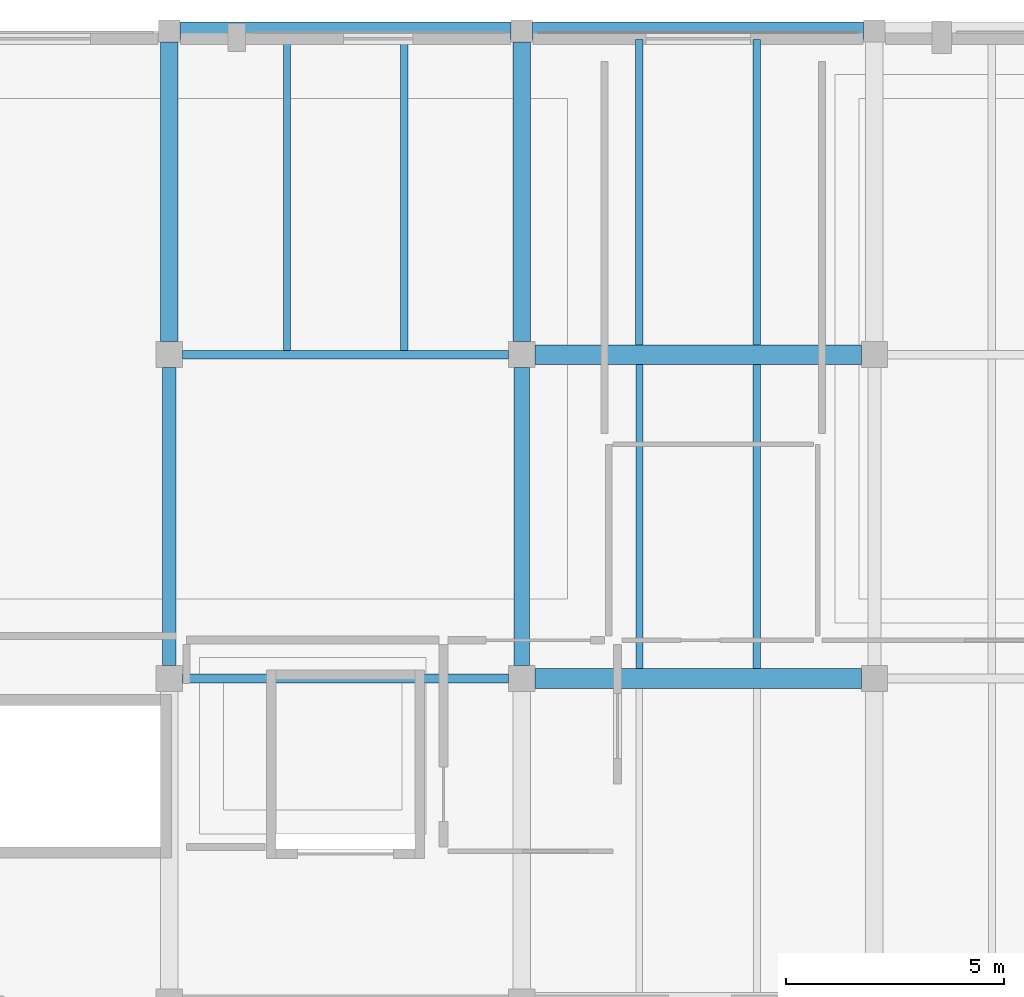
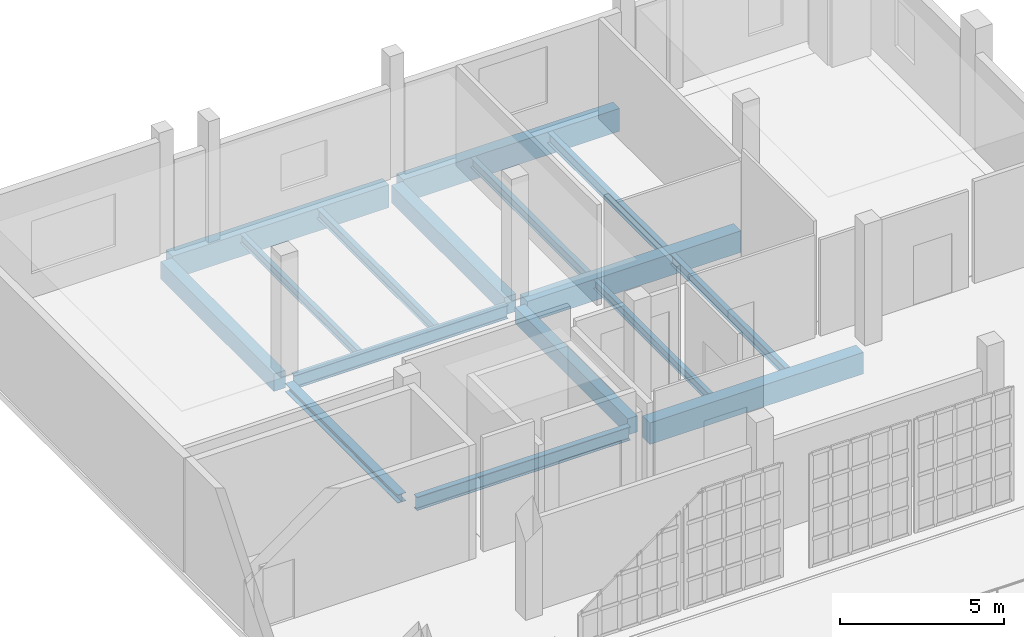
# One storey, part 23 of 56: 16 beams.
"""IFC4 building model written with IfcOpenShell, lengths in metres."""

from ifc_helpers import new_model, si_unit, direction, frame, origin, origin_2d, place, context, subcontext, project, spatial, rectangle, i_section, extrude, material, material_profile, profile_set, type_object, element, save


model = new_model("IFC4")

# Units and contexts
model_context = context("Model", 3, precision=1e-05, world=origin(), true_north=direction((0.0, 1.0)))
body_context = subcontext(model_context, "Body", "Model", "MODEL_VIEW")
ifc_project = project(units=[si_unit("LENGTHUNIT", "METRE"), si_unit("AREAUNIT", "SQUARE_METRE"), si_unit("VOLUMEUNIT", "CUBIC_METRE"), si_unit("PLANEANGLEUNIT", "RADIAN"), si_unit("MASSUNIT", "GRAM", prefix="KILO")], contexts=[model_context])

# Site, building, storey
site_placement = place(None, origin())
site = spatial("IfcSite", under=ifc_project, at=site_placement, CompositionType="ELEMENT")
building_placement = place(site_placement, origin())
building = spatial("IfcBuilding", under=site, at=building_placement, Name="Kaelora Sail Theatre", CompositionType="ELEMENT")
storey_placement = place(building_placement, frame((0.0, 0.0, 14.699951171875)))
storey = spatial("IfcBuildingStorey", under=building, at=storey_placement, Name="L03", CompositionType="ELEMENT", Elevation=14.699951171875)

# Beams
ifc_material_1 = material(Name="Steel S355", Category="steel")
ifc_material_profile_1 = material_profile(ifc_material_1, i_section(OverallWidth=0.300048828125, OverallDepth=0.31005859375, WebThickness=0.009033203125, FlangeThickness=0.015380859375, FilletRadius=0.027099609375, at=origin_2d()), Name="HEA 320")
ifc_profile_set_1 = profile_set([ifc_material_profile_1], Name="Steel S355")
beam_type_1 = type_object("IfcBeamType", Name="STR-BM-BM-HEA320", PredefinedType="BEAM", material=ifc_profile_set_1)
beam_1_placement = place(storey_placement, frame((106.800048828125, 98.52001953125, -0.429931640625), z_axis=(0.0, 1.0, 0.0), x_axis=(-1.0, 0.0, 0.0)))
element("IfcBeam", 1, at=beam_1_placement, inside=storey, type_object=beam_type_1, Name="Primary beam 14 N-O (L03)", PredefinedType="BEAM", context=body_context, shape_type="SweptSolid", body=[
    extrude(i_section(OverallWidth=0.300048828125, OverallDepth=0.31005859375, WebThickness=0.009033203125, FlangeThickness=0.015380859375, FilletRadius=0.027099609375, at=origin_2d()), origin(), (0.0, 0.0, 1.0), 6.840087890625),
])
ifc_material_2 = material(Name="Steel S355", Category="steel")
ifc_material_profile_2 = material_profile(ifc_material_2, i_section(OverallWidth=0.199951171875, OverallDepth=0.5, WebThickness=0.01025390625, FlangeThickness=0.01611328125, FilletRadius=0.02099609375, at=origin_2d()), Name="IPE 500")
ifc_profile_set_2 = profile_set([ifc_material_profile_2], Name="Steel S355")
beam_type_2 = type_object("IfcBeamType", Name="STR-BM-BM-IPE500", PredefinedType="BEAM", material=ifc_profile_set_2)
for number, where, z_axis, x_axis, name in (
    (2, (107.10009765625, 98.219970703125, -0.52490234375), (1.0, 0.0, 0.0), (0.0, 1.0, 0.0), "Primary beam N 14-15 (L03)"),
    (3, (107.10009765625, 105.659912109375, -0.52490234375), (1.0, 0.0, 0.0), (0.0, 1.0, 0.0), "Primary beam O 14-15 (L03)"),
):
    element("IfcBeam", number, at=place(storey_placement, frame(where, z_axis=z_axis, x_axis=x_axis)), inside=storey, type_object=beam_type_2, Name=name, PredefinedType="BEAM", context=body_context, shape_type="SweptSolid", body=[
        extrude(i_section(OverallWidth=0.199951171875, OverallDepth=0.5, WebThickness=0.01025390625, FlangeThickness=0.01611328125, FilletRadius=0.02099609375, at=origin_2d()), origin(), (0.0, 0.0, 1.0), 7.5),
    ])
ifc_material_3 = material(Name="Concrete C40/50", Category="concrete")
ifc_material_profile_3 = material_profile(ifc_material_3, rectangle(XDim=0.35009765625, YDim=0.60009765625, at=origin_2d()), Name="RC-BM 350x600")
ifc_profile_set_3 = profile_set([ifc_material_profile_3], Name="Concrete C40/50")
beam_type_3 = type_object("IfcBeamType", Name="STR-BM-BM-RC3560", PredefinedType="BEAM", material=ifc_profile_set_3)
beam_2_placement = place(storey_placement, frame((114.89990234375, 98.52001953125, -0.574951171875), z_axis=(0.0, 1.0, 0.0), x_axis=(-1.0, 0.0, 0.0)))
element("IfcBeam", 4, at=beam_2_placement, inside=storey, type_object=beam_type_3, Name="Primary beam 15 N-O (L03)", PredefinedType="BEAM", context=body_context, shape_type="SweptSolid", body=[
    extrude(rectangle(XDim=0.35009765625, YDim=0.60009765625, at=origin_2d()), origin(), (0.0, 0.0, 1.0), 6.840087890625),
])
ifc_material_4 = material(Name="Concrete C40/50", Category="concrete")
ifc_material_profile_4 = material_profile(ifc_material_4, rectangle(XDim=0.39990234375, YDim=0.64990234375, at=origin_2d()), Name="RC-BM 400x650")
ifc_profile_set_4 = profile_set([ifc_material_profile_4], Name="Concrete C40/50")
beam_type_4 = type_object("IfcBeamType", Name="STR-BM-BM-RC4065", PredefinedType="BEAM", material=ifc_profile_set_4)
for number, where, z_axis, x_axis, name in (
    (5, (106.800048828125, 105.9599609375, -0.599853515625), (0.0, 1.0, 0.0), (-1.0, 0.0, 0.0), "Primary beam 14 O-P (L03)"),
    (6, (114.89990234375, 105.9599609375, -0.599853515625), (0.0, 1.0, 0.0), (-1.0, 0.0, 0.0), "Primary beam 15 O-P (L03)"),
):
    element("IfcBeam", number, at=place(storey_placement, frame(where, z_axis=z_axis, x_axis=x_axis)), inside=storey, type_object=beam_type_4, Name=name, PredefinedType="BEAM", context=body_context, shape_type="SweptSolid", body=[
        extrude(rectangle(XDim=0.39990234375, YDim=0.64990234375, at=origin_2d()), origin(), (0.0, 0.0, 1.0), 6.89013671875),
    ])
ifc_material_5 = material(Name="Concrete C45/55", Category="concrete")
ifc_material_profile_5 = material_profile(ifc_material_5, rectangle(XDim=0.449951171875, YDim=0.800048828125, at=origin_2d()), Name="RC-BM 450x800")
ifc_profile_set_5 = profile_set([ifc_material_profile_5], Name="Concrete C45/55")
beam_type_5 = type_object("IfcBeamType", Name="STR-BM-BM-RC4580", PredefinedType="BEAM", material=ifc_profile_set_5)
for number, where, z_axis, x_axis, name in (
    (7, (115.199951171875, 98.219970703125, -0.675048828125), (1.0, 0.0, 0.0), (0.0, 1.0, 0.0), "Primary beam N 15-16 (L03)"),
    (8, (115.199951171875, 105.659912109375, -0.675048828125), (1.0, 0.0, 0.0), (0.0, 1.0, 0.0), "Primary beam O 15-16 (L03)"),
):
    element("IfcBeam", number, at=place(storey_placement, frame(where, z_axis=z_axis, x_axis=x_axis)), inside=storey, type_object=beam_type_5, Name=name, PredefinedType="BEAM", context=body_context, shape_type="SweptSolid", body=[
        extrude(rectangle(XDim=0.449951171875, YDim=0.800048828125, at=origin_2d()), origin(), (0.0, 0.0, 1.0), 7.5),
    ])
ifc_material_6 = material(Name="Steel S355", Category="steel")
ifc_material_profile_6 = material_profile(ifc_material_6, i_section(OverallWidth=0.159912109375, OverallDepth=0.330078125, WebThickness=0.007568359375, FlangeThickness=0.011474609375, FilletRadius=0.01806640625, at=origin_2d()), Name="IPE 330")
ifc_profile_set_6 = profile_set([ifc_material_profile_6], Name="Steel S355")
beam_type_6 = type_object("IfcBeamType", Name="STR-BM-JS-IPE330", PredefinedType="JOIST", material=ifc_profile_set_6)
beam_3_placement = place(storey_placement, frame((109.5, 105.760009765625, -0.43994140625), z_axis=(0.0, 1.0, 0.0), x_axis=(-1.0, 0.0, 0.0)))
element("IfcBeam", 9, at=beam_3_placement, inside=storey, type_object=beam_type_6, Name="Secondary floor joist 14/O-1 (L03)", PredefinedType="JOIST", context=body_context, shape_type="SweptSolid", body=[
    extrude(i_section(OverallWidth=0.159912109375, OverallDepth=0.330078125, WebThickness=0.007568359375, FlangeThickness=0.011474609375, FilletRadius=0.01806640625, at=origin_2d()), origin(), (0.0, 0.0, 1.0), 7.139892578125),
])
beam_4_placement = place(storey_placement, frame((117.60009765625, 98.445068359375, -0.43994140625), z_axis=(0.0, 1.0, 0.0), x_axis=(-1.0, 0.0, 0.0)))
element("IfcBeam", 10, at=beam_4_placement, inside=storey, type_object=beam_type_6, Name="Secondary floor joist 15/N-1 (L03)", PredefinedType="JOIST", context=body_context, shape_type="SweptSolid", body=[
    extrude(i_section(OverallWidth=0.159912109375, OverallDepth=0.330078125, WebThickness=0.007568359375, FlangeThickness=0.011474609375, FilletRadius=0.01806640625, at=origin_2d()), origin(), (0.0, 0.0, 1.0), 6.989990234375),
])
ifc_material_7 = material(Name="Steel S355", Category="steel")
ifc_material_profile_7 = material_profile(ifc_material_7, i_section(OverallWidth=0.169921875, OverallDepth=0.360107421875, WebThickness=0.008056640625, FlangeThickness=0.0126953125, FilletRadius=0.01806640625, at=origin_2d()), Name="IPE 360")
ifc_profile_set_7 = profile_set([ifc_material_profile_7], Name="Steel S355")
beam_type_7 = type_object("IfcBeamType", Name="STR-BM-JS-IPE360", PredefinedType="JOIST", material=ifc_profile_set_7)
beam_5_placement = place(storey_placement, frame((112.199951171875, 105.760009765625, -0.454833984375), z_axis=(0.0, 1.0, 0.0), x_axis=(-1.0, 0.0, 0.0)))
element("IfcBeam", 11, at=beam_5_placement, inside=storey, type_object=beam_type_7, Name="Secondary floor joist 14/O-2 (L03)", PredefinedType="JOIST", context=body_context, shape_type="SweptSolid", body=[
    extrude(i_section(OverallWidth=0.169921875, OverallDepth=0.360107421875, WebThickness=0.008056640625, FlangeThickness=0.0126953125, FilletRadius=0.01806640625, at=origin_2d()), origin(), (0.0, 0.0, 1.0), 7.139892578125),
])
beam_6_placement = place(storey_placement, frame((120.300048828125, 98.445068359375, -0.454833984375), z_axis=(0.0, 1.0, 0.0), x_axis=(-1.0, 0.0, 0.0)))
element("IfcBeam", 12, at=beam_6_placement, inside=storey, type_object=beam_type_7, Name="Secondary floor joist 15/N-2 (L03)", PredefinedType="JOIST", context=body_context, shape_type="SweptSolid", body=[
    extrude(i_section(OverallWidth=0.169921875, OverallDepth=0.360107421875, WebThickness=0.008056640625, FlangeThickness=0.0126953125, FilletRadius=0.01806640625, at=origin_2d()), origin(), (0.0, 0.0, 1.0), 6.989990234375),
])
beam_7_placement = place(storey_placement, frame((117.60009765625, 105.885009765625, -0.454833984375), z_axis=(0.0, 1.0, 0.0), x_axis=(-1.0, 0.0, 0.0)))
element("IfcBeam", 13, at=beam_7_placement, inside=storey, type_object=beam_type_7, Name="Secondary floor joist 15/O-1 (L03)", PredefinedType="JOIST", context=body_context, shape_type="SweptSolid", body=[
    extrude(i_section(OverallWidth=0.169921875, OverallDepth=0.360107421875, WebThickness=0.008056640625, FlangeThickness=0.0126953125, FilletRadius=0.01806640625, at=origin_2d()), origin(), (0.0, 0.0, 1.0), 7.014892578125),
])
ifc_material_8 = material(Name="Steel S355", Category="steel")
ifc_material_profile_8 = material_profile(ifc_material_8, i_section(OverallWidth=0.179931640625, OverallDepth=0.39990234375, WebThickness=0.008544921875, FlangeThickness=0.013427734375, FilletRadius=0.02099609375, at=origin_2d()), Name="IPE 400")
ifc_profile_set_8 = profile_set([ifc_material_profile_8], Name="Steel S355")
beam_type_8 = type_object("IfcBeamType", Name="STR-BM-JS-IPE400", PredefinedType="JOIST", material=ifc_profile_set_8)
beam_8_placement = place(storey_placement, frame((120.300048828125, 105.885009765625, -0.474853515625), z_axis=(0.0, 1.0, 0.0), x_axis=(-1.0, 0.0, 0.0)))
element("IfcBeam", 14, at=beam_8_placement, inside=storey, type_object=beam_type_8, Name="Secondary floor joist 15/O-2 (L03)", PredefinedType="JOIST", context=body_context, shape_type="SweptSolid", body=[
    extrude(i_section(OverallWidth=0.179931640625, OverallDepth=0.39990234375, WebThickness=0.008544921875, FlangeThickness=0.013427734375, FilletRadius=0.02099609375, at=origin_2d()), origin(), (0.0, 0.0, 1.0), 7.014892578125),
])
ifc_material_9 = material(Name="Concrete C45/55", Category="concrete")
ifc_material_profile_9 = material_profile(ifc_material_9, rectangle(XDim=0.39990234375, YDim=0.85009765625, at=origin_2d()), Name="RC-SPN 400x850")
ifc_profile_set_9 = profile_set([ifc_material_profile_9], Name="Concrete C45/55")
beam_type_9 = type_object("IfcBeamType", Name="STR-BM-SP-RC4085", PredefinedType="SPANDREL", material=ifc_profile_set_9)
beam_9_placement = place(storey_placement, frame((107.050048828125, 113.10009765625, -0.699951171875), z_axis=(1.0, 0.0, 0.0), x_axis=(0.0, 1.0, 0.0)))
element("IfcBeam", 15, at=beam_9_placement, inside=storey, type_object=beam_type_9, Name="Primary beam P 14-15 (L03)", PredefinedType="SPANDREL", context=body_context, shape_type="SweptSolid", body=[
    extrude(rectangle(XDim=0.39990234375, YDim=0.85009765625, at=origin_2d()), origin(), (0.0, 0.0, 1.0), 7.599853515625),
])
beam_10_placement = place(storey_placement, frame((115.14990234375, 113.10009765625, -0.699951171875), z_axis=(1.0, 0.0, 0.0), x_axis=(0.0, 1.0, 0.0)))
element("IfcBeam", 16, at=beam_10_placement, inside=storey, type_object=beam_type_9, Name="Primary beam P 15-16 (L03)", PredefinedType="SPANDREL", context=body_context, shape_type="SweptSolid", body=[
    extrude(rectangle(XDim=0.39990234375, YDim=0.85009765625, at=origin_2d()), origin(), (0.0, 0.0, 1.0), 7.60009765625),
])

save(model, "model.ifc")
